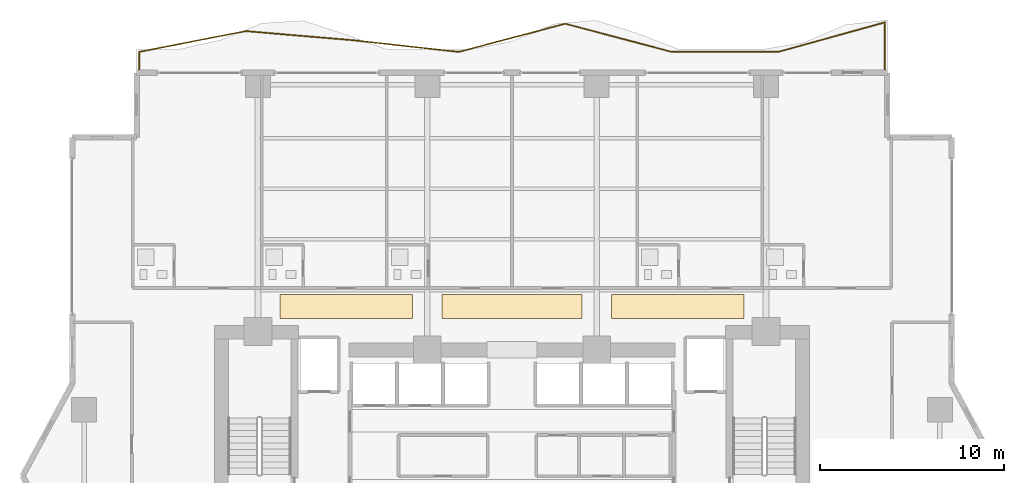
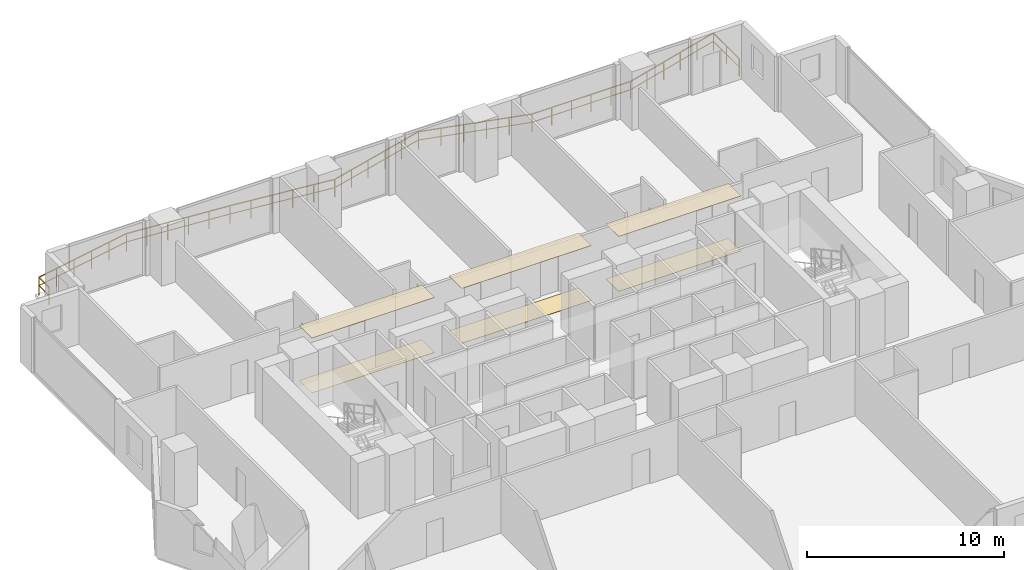
# One storey, part 29 of 30: 6 coverings, 1 railing.
"""IFC4 building model written with IfcOpenShell, lengths in metres."""

import ifcopenshell
import ifcopenshell.guid

model = None  # the IFC model being written
_history = None  # IfcOwnerHistory: only IFC2X3 demands one
_inside = {}  # id of a spatial element -> (the spatial element, [elements in it])
_under = {}  # id of a project, library or spatial element -> (it, [spatial elements below it])
_declared = {}  # id of a project -> (the project, [libraries it declares])
_typed = {}  # id of a type object -> (the type object, [elements of that type])
_made_of = {}  # id of a material, layer set ... -> (it, [elements and type objects made of it])


def new_model(schema):
    """Start an empty IFC model of exactly this schema.

    Asked for "IFC4X3", IfcOpenShell would pick the latest addendum, in which some entities
    have other attributes; the version numbers below select the first issue.
    IFC2X3 requires an IfcOwnerHistory on every rooted entity: one is made here for all.
    """
    global model, _history
    if schema == "IFC4X3":
        model = ifcopenshell.file(schema_version=(4, 3, 0, 0))
    else:
        model = ifcopenshell.file(schema=schema)
    _inside.clear()
    _under.clear()
    _declared.clear()
    _typed.clear()
    _made_of.clear()
    _history = None
    if model.schema == "IFC2X3":
        org = make("IfcOrganization", Name="unknown")
        user = make(
            "IfcPersonAndOrganization",
            ThePerson=make("IfcPerson", FamilyName="unknown"),
            TheOrganization=org,
        )
        app = make(
            "IfcApplication",
            ApplicationDeveloper=org,
            Version="unknown",
            ApplicationFullName="unknown",
            ApplicationIdentifier="unknown",
        )
        _history = make(
            "IfcOwnerHistory",
            OwningUser=user,
            OwningApplication=app,
            ChangeAction="ADDED",
            CreationDate=0,
        )
    return model


def make(cls, **values):
    """One entity of the class cls with the attributes given. An attribute that is None is left unset."""
    return model.create_entity(
        cls, **{name: value for name, value in values.items() if value is not None}
    )


def rooted(cls, **values):
    """An entity with a GlobalId (a new one), such as an element, a storey or a relation."""
    return make(cls, GlobalId=ifcopenshell.guid.new(), OwnerHistory=_history, **values)


def si_unit(unit_type, name, prefix=None):
    """IfcSIUnit, for example si_unit("LENGTHUNIT", "METRE", prefix="MILLI")."""
    return make("IfcSIUnit", UnitType=unit_type, Prefix=prefix, Name=name)


def assignment(units):
    """IfcUnitAssignment: the units of a project."""
    return None if units is None else make("IfcUnitAssignment", Units=units)


def point(xyz):
    """IfcCartesianPoint."""
    return None if xyz is None else make("IfcCartesianPoint", Coordinates=xyz)


def direction(xyz):
    """IfcDirection."""
    return None if xyz is None else make("IfcDirection", DirectionRatios=xyz)


def frame(location, z_axis=None, x_axis=None):
    """IfcAxis2Placement3D, a coordinate frame: its origin and axes. An axis left out is left unset."""
    return make(
        "IfcAxis2Placement3D",
        Location=point(location),
        Axis=direction(z_axis),
        RefDirection=direction(x_axis),
    )


def frame_2d(location, x_axis=None):
    """IfcAxis2Placement2D, a coordinate frame in the plane: its origin and x axis."""
    return make(
        "IfcAxis2Placement2D", Location=point(location), RefDirection=direction(x_axis)
    )


def origin():
    """The frame at (0, 0, 0) with its axes left unset."""
    return frame((0.0, 0.0, 0.0))


def origin_2d():
    """The frame at (0, 0) in the plane with its x axis left unset."""
    return frame_2d((0.0, 0.0))


def place(relative_to, where):
    """IfcLocalPlacement: puts the frame where relative to a parent placement (None: the world)."""
    return make(
        "IfcLocalPlacement", PlacementRelTo=relative_to, RelativePlacement=where
    )


def context(
    kind, dimensions, precision=None, world=None, true_north=None, identifier=None
):
    """IfcGeometricRepresentationContext, for example the 3D "Model" context."""
    return make(
        "IfcGeometricRepresentationContext",
        ContextIdentifier=identifier,
        ContextType=kind,
        CoordinateSpaceDimension=dimensions,
        Precision=precision,
        WorldCoordinateSystem=world,
        TrueNorth=true_north,
    )


def subcontext(parent, identifier, kind, view, scale=None):
    """IfcGeometricRepresentationSubContext, for example "Body" below "Model"."""
    return make(
        "IfcGeometricRepresentationSubContext",
        ContextIdentifier=identifier,
        ContextType=kind,
        ParentContext=parent,
        TargetScale=scale,
        TargetView=view,
    )


def project(units=None, contexts=None):
    """IfcProject with its units and contexts."""
    return rooted(
        "IfcProject",
        Name="project",
        RepresentationContexts=contexts,
        UnitsInContext=assignment(units),
    )


def spatial(cls, under=None, at=None, **own):
    """A site, building, storey or space (cls), placed at a placement, below another one or the project."""
    s = rooted(cls, ObjectPlacement=at, **own)
    if under is not None:
        _under.setdefault(under.id(), (under, []))[1].append(s)
    return s


def polyline(points):
    """IfcPolyline through the points."""
    return make("IfcPolyline", Points=[point(p) for p in points])


def profile(cls, at=None, kind="AREA", **sizes):
    """A parametric profile (cls). Its sizes go by their IFC names, for example OverallWidth=200.0."""
    return make(cls, ProfileType=kind, Position=at, **sizes)


def rectangle(**sizes):
    """IfcRectangleProfileDef."""
    return profile("IfcRectangleProfileDef", **sizes)


def outline(outer, holes=None, kind="AREA"):
    """IfcArbitraryClosedProfileDef: a profile drawn as a closed curve; with holes, ...WithVoids."""
    if holes is None:
        return make("IfcArbitraryClosedProfileDef", ProfileType=kind, OuterCurve=outer)
    return make(
        "IfcArbitraryProfileDefWithVoids",
        ProfileType=kind,
        OuterCurve=outer,
        InnerCurves=holes,
    )


def extrude(swept, where, along, depth):
    """IfcExtrudedAreaSolid: the profile swept, set in the frame where, extruded along a direction by depth."""
    return make(
        "IfcExtrudedAreaSolid",
        SweptArea=swept,
        Position=where,
        ExtrudedDirection=direction(along),
        Depth=depth,
    )


def shape(context_of_items, identifier, shape_type, items):
    """IfcShapeRepresentation: the items that make up one representation, for example the "Body"."""
    return make(
        "IfcShapeRepresentation",
        ContextOfItems=context_of_items,
        RepresentationIdentifier=identifier,
        RepresentationType=shape_type,
        Items=items,
    )


def material(Name=None, Category=None):
    """IfcMaterial."""
    return make("IfcMaterial", Name=Name, Category=Category)


def layer(
    of_material, thickness, ventilated=None, Name=None, Category=None, Priority=None
):
    """IfcMaterialLayer: one layer of a wall or slab, of a material (None: an air gap)."""
    return make(
        "IfcMaterialLayer",
        Material=of_material,
        LayerThickness=thickness,
        IsVentilated=ventilated,
        Name=Name,
        Category=Category,
        Priority=Priority,
    )


def layer_set(layers, Name=None):
    """IfcMaterialLayerSet."""
    return make("IfcMaterialLayerSet", MaterialLayers=layers, LayerSetName=Name)


def made_of(thing, what):
    """Note that an element or type object is made of a material, layer set ...; save() writes the relation."""
    if what is not None:
        _made_of.setdefault(what.id(), (what, []))[1].append(thing)
    return thing


def type_object(cls, material=None, **own):
    """A type object (cls), such as IfcWallType, which elements share."""
    return made_of(rooted(cls, **own), material)


def element(
    cls,
    number,
    at=None,
    inside=None,
    cuts=None,
    type_object=None,
    material=None,
    context=None,
    identifier="Body",
    shape_type=None,
    held_by="IfcProductDefinitionShape",
    body=None,
    shapes=None,
    **own,
):
    """One element of the class cls, such as IfcWall. Its Tag is "e" and its number.

    at: its placement. inside: the storey or other place that contains it. cuts: it is an
    opening in that element (IfcRelVoidsElement). A single representation is given by context,
    identifier, shape_type and body (its items); several are given by shapes. held_by: the class
    of the entity that holds the representations. save() writes the other relations.
    """
    e = rooted(cls, Tag="e%d" % number, ObjectPlacement=at, **own)
    if body is not None:
        shapes = [shape(context, identifier, shape_type, body)]
    if shapes is not None:
        e.Representation = make(held_by, Representations=shapes)
    if inside is not None:
        _inside.setdefault(inside.id(), (inside, []))[1].append(e)
    if cuts is not None:
        rooted(
            "IfcRelVoidsElement", RelatingBuildingElement=cuts, RelatedOpeningElement=e
        )
    if type_object is not None:
        _typed.setdefault(type_object.id(), (type_object, []))[1].append(e)
    return made_of(e, material)


def aggregate(whole, parts):
    """IfcRelAggregates: a whole, such as a stair, and the parts it consists of."""
    return rooted("IfcRelAggregates", RelatingObject=whole, RelatedObjects=parts)


def save(model, path):
    """Write the relations noted so far, then the file.

    IfcRelAggregates (storeys below a building ...), IfcRelContainedInSpatialStructure (elements
    in a storey), IfcRelDefinesByType, IfcRelAssociatesMaterial and IfcRelDeclares: one each for
    every whole, place, type object, material and project.
    """
    for whole, parts in _under.values():
        aggregate(whole, parts)
    for where, things in _inside.values():
        rooted(
            "IfcRelContainedInSpatialStructure",
            RelatedElements=things,
            RelatingStructure=where,
        )
    for kind, things in _typed.values():
        rooted("IfcRelDefinesByType", RelatedObjects=things, RelatingType=kind)
    for what, things in _made_of.values():
        rooted("IfcRelAssociatesMaterial", RelatedObjects=things, RelatingMaterial=what)
    for by, libraries in _declared.values():
        rooted("IfcRelDeclares", RelatingContext=by, RelatedDefinitions=libraries)
    model.write(path)


model = new_model("IFC4")

# Units and contexts
model_context = context("Model", 3, precision=1e-05, world=origin(), true_north=direction((0.0, 1.0)))
body_context = subcontext(model_context, "Body", "Model", "MODEL_VIEW")
ifc_project = project(units=[si_unit("LENGTHUNIT", "METRE"), si_unit("AREAUNIT", "SQUARE_METRE"), si_unit("VOLUMEUNIT", "CUBIC_METRE"), si_unit("PLANEANGLEUNIT", "RADIAN"), si_unit("MASSUNIT", "GRAM", prefix="KILO")], contexts=[model_context])

# Site, building, storey
site_placement = place(None, origin())
site = spatial("IfcSite", under=ifc_project, at=site_placement, CompositionType="ELEMENT")
building_placement = place(site_placement, origin())
building = spatial("IfcBuilding", under=site, at=building_placement, Name="Zuhayl Quay Hotel", CompositionType="ELEMENT")
storey_placement = place(building_placement, frame((0.0, 0.0, 128.5)))
storey = spatial("IfcBuildingStorey", under=building, at=storey_placement, Name="L32", CompositionType="ELEMENT", Elevation=128.5)

# Coverings
ifc_material_1 = material(Name="Acoustic Mineral-Fibre Gypsum Board")
ifc_layer_1 = layer(ifc_material_1, 0.02490234375, Name="Acoustic Mineral-Fibre Gypsum Board")
ifc_layer_set_1 = layer_set([ifc_layer_1], Name="Acoustic Mineral-Fibre Gypsum Board")
covering_type_1 = type_object("IfcCoveringType", Name="CV_CEIL_ACOUSTIC", PredefinedType="CEILING", material=ifc_layer_set_1)
covering_1_placement = place(storey_placement, frame((0.0, 0.0, 3.405029296875)))
element("IfcCovering", 1, at=covering_1_placement, inside=storey, type_object=covering_type_1, Name="L32 Guest Corridor Acoustic Ceiling CW", PredefinedType="CEILING", context=body_context, shape_type="SweptSolid", body=[
    extrude(outline(polyline([(-12.60009765625, 15.050048828125), (-5.39990234375, 15.050048828125), (-5.39990234375, 16.35009765625), (-12.60009765625, 16.35009765625), (-12.60009765625, 15.050048828125)])), origin(), (0.0, 0.0, 1.0), 0.02490234375),
])
covering_2_placement = place(storey_placement, frame((0.0, 0.0, 3.405029296875)))
element("IfcCovering", 2, at=covering_2_placement, inside=storey, type_object=covering_type_1, Name="L32 Guest Corridor Acoustic Ceiling CC", PredefinedType="CEILING", context=body_context, shape_type="SweptSolid", body=[
    extrude(outline(polyline([(-3.800048828125, 15.050048828125), (3.800048828125, 15.050048828125), (3.800048828125, 16.35009765625), (-3.800048828125, 16.35009765625), (-3.800048828125, 15.050048828125)])), origin(), (0.0, 0.0, 1.0), 0.02490234375),
])
covering_3_placement = place(storey_placement, frame((0.0, 0.0, 3.405029296875)))
element("IfcCovering", 3, at=covering_3_placement, inside=storey, type_object=covering_type_1, Name="L32 Guest Corridor Acoustic Ceiling CE", PredefinedType="CEILING", context=body_context, shape_type="SweptSolid", body=[
    extrude(outline(polyline([(5.39990234375, 15.050048828125), (12.60009765625, 15.050048828125), (12.60009765625, 16.35009765625), (5.39990234375, 16.35009765625), (5.39990234375, 15.050048828125)])), origin(), (0.0, 0.0, 1.0), 0.02490234375),
])
ifc_material_2 = material(Name="Polished Limestone Terrazzo", Category="masonry")
ifc_layer_2 = layer(ifc_material_2, 0.02001953125, Name="Polished Limestone Terrazzo", Category="masonry")
ifc_layer_set_2 = layer_set([ifc_layer_2], Name="Polished Limestone Terrazzo")
covering_type_2 = type_object("IfcCoveringType", Name="CV_FLOOR_TERRAZZO", PredefinedType="FLOORING", material=ifc_layer_set_2)
covering_4_placement = place(storey_placement, origin())
element("IfcCovering", 4, at=covering_4_placement, inside=storey, type_object=covering_type_2, Name="L32 Guest Corridor Terrazzo Runner CW", PredefinedType="FLOORING", context=body_context, shape_type="SweptSolid", body=[
    extrude(outline(polyline([(-12.60009765625, 15.050048828125), (-5.39990234375, 15.050048828125), (-5.39990234375, 16.35009765625), (-12.60009765625, 16.35009765625), (-12.60009765625, 15.050048828125)])), origin(), (0.0, 0.0, 1.0), 0.02001953125),
])
covering_5_placement = place(storey_placement, origin())
element("IfcCovering", 5, at=covering_5_placement, inside=storey, type_object=covering_type_2, Name="L32 Guest Corridor Terrazzo Runner CC", PredefinedType="FLOORING", context=body_context, shape_type="SweptSolid", body=[
    extrude(outline(polyline([(-3.800048828125, 15.050048828125), (3.800048828125, 15.050048828125), (3.800048828125, 16.35009765625), (-3.800048828125, 16.35009765625), (-3.800048828125, 15.050048828125)])), origin(), (0.0, 0.0, 1.0), 0.02001953125),
])
covering_6_placement = place(storey_placement, origin())
element("IfcCovering", 6, at=covering_6_placement, inside=storey, type_object=covering_type_2, Name="L32 Guest Corridor Terrazzo Runner CE", PredefinedType="FLOORING", context=body_context, shape_type="SweptSolid", body=[
    extrude(outline(polyline([(5.39990234375, 15.050048828125), (12.60009765625, 15.050048828125), (12.60009765625, 16.35009765625), (5.39990234375, 16.35009765625), (5.39990234375, 15.050048828125)])), origin(), (0.0, 0.0, 1.0), 0.02001953125),
])

# Railing
ifc_material_3 = material(Name="Anodised Aluminium and Laminated Glass", Category="aluminium")
railing_type = type_object("IfcRailingType", Name="RL_EXT_BAL_1100", PredefinedType="BALUSTRADE", material=ifc_material_3)
railing_placement = place(storey_placement, frame((-20.260009765625, 28.52001953125, 0.0)))
element("IfcRailing", 7, at=railing_placement, inside=storey, type_object=railing_type, Name="L32 Balcony and Terrace Guard GR_L32_BAL_N", PredefinedType="BALUSTRADE", context=body_context, shape_type="SweptSolid", body=[
    extrude(rectangle(XDim=0.048095703125, YDim=0.048095703125, at=origin_2d()), frame((0.0, 0.0, 1.09619140625), z_axis=(0.0, 1.0, 0.0), x_axis=(-1.0, 0.0, 0.0)), (0.0, 0.0, 1.0), 1.02001953125),
    extrude(rectangle(XDim=0.0361328125, YDim=0.0361328125, at=origin_2d()), frame((0.0, 0.0, 0.58251953125), z_axis=(0.0, 1.0, 0.0), x_axis=(-1.0, 0.0, 0.0)), (0.0, 0.0, 1.0), 1.02001953125),
    extrude(rectangle(XDim=0.048095703125, YDim=0.048095703125, at=origin_2d()), frame((0.0, 1.02001953125, 1.09619140625), z_axis=(0.981501028548, 0.191456864489, 0.0), x_axis=(-0.191456864489, 0.981501028548, 0.0)), (0.0, 0.0, 1.0), 5.897705078125),
    extrude(rectangle(XDim=0.0361328125, YDim=0.0361328125, at=origin_2d()), frame((0.0, 1.02001953125, 0.58251953125), z_axis=(0.981501028548, 0.191456864489, 0.0), x_axis=(-0.191456864489, 0.981501028548, 0.0)), (0.0, 0.0, 1.0), 5.897705078125),
    extrude(rectangle(XDim=0.048095703125, YDim=0.048095703125, at=origin_2d()), frame((5.78857421875, 2.149169921875, 1.09619140625), z_axis=(0.996415287591, -0.084596540444, 0.0), x_axis=(0.084596540444, 0.996415287591, 0.0)), (0.0, 0.0, 1.0), 5.809326171875),
    extrude(rectangle(XDim=0.0361328125, YDim=0.0361328125, at=origin_2d()), frame((5.78857421875, 2.149169921875, 0.58251953125), z_axis=(0.996415287591, -0.084596540444, 0.0), x_axis=(0.084596540444, 0.996415287591, 0.0)), (0.0, 0.0, 1.0), 5.809326171875),
    extrude(rectangle(XDim=0.048095703125, YDim=0.048095703125, at=origin_2d()), frame((11.5771484375, 1.65771484375, 1.09619140625), z_axis=(0.993986572997, -0.109502021454, 0.0), x_axis=(0.109502021454, 0.993986572997, 0.0)), (0.0, 0.0, 1.0), 5.823486328125),
    extrude(rectangle(XDim=0.0361328125, YDim=0.0361328125, at=origin_2d()), frame((11.5771484375, 1.65771484375, 0.58251953125), z_axis=(0.993986572997, -0.109502021454, 0.0), x_axis=(0.109502021454, 0.993986572997, 0.0)), (0.0, 0.0, 1.0), 5.823486328125),
    extrude(rectangle(XDim=0.048095703125, YDim=0.048095703125, at=origin_2d()), frame((17.36572265625, 1.02001953125, 1.09619140625), z_axis=(0.96679772635, 0.255542865923, 0.0), x_axis=(-0.255542865923, 0.96679772635, 0.0)), (0.0, 0.0, 1.0), 5.9873046875),
    extrude(rectangle(XDim=0.0361328125, YDim=0.0361328125, at=origin_2d()), frame((17.36572265625, 1.02001953125, 0.58251953125), z_axis=(0.96679772635, 0.255542865923, 0.0), x_axis=(-0.255542865923, 0.96679772635, 0.0)), (0.0, 0.0, 1.0), 5.9873046875),
    extrude(rectangle(XDim=0.048095703125, YDim=0.048095703125, at=origin_2d()), frame((23.154296875, 2.550048828125, 1.09619140625), z_axis=(0.96679772635, -0.255542865923, 0.0), x_axis=(0.255542865923, 0.96679772635, 0.0)), (0.0, 0.0, 1.0), 5.9873046875),
    extrude(rectangle(XDim=0.0361328125, YDim=0.0361328125, at=origin_2d()), frame((23.154296875, 2.550048828125, 0.58251953125), z_axis=(0.96679772635, -0.255542865923, 0.0), x_axis=(0.255542865923, 0.96679772635, 0.0)), (0.0, 0.0, 1.0), 5.9873046875),
    extrude(rectangle(XDim=0.048095703125, YDim=0.048095703125, at=origin_2d()), frame((28.94287109375, 1.02001953125, 1.09619140625), z_axis=(1.0, 0.0, 0.0), x_axis=(0.0, 1.0, 0.0)), (0.0, 0.0, 1.0), 5.78857421875),
    extrude(rectangle(XDim=0.0361328125, YDim=0.0361328125, at=origin_2d()), frame((28.94287109375, 1.02001953125, 0.58251953125), z_axis=(1.0, 0.0, 0.0), x_axis=(0.0, 1.0, 0.0)), (0.0, 0.0, 1.0), 5.78857421875),
    extrude(rectangle(XDim=0.048095703125, YDim=0.048095703125, at=origin_2d()), frame((34.7314453125, 1.02001953125, 1.09619140625), z_axis=(0.963644737751, 0.267186862336, 0.0), x_axis=(-0.267186862336, 0.963644737751, 0.0)), (0.0, 0.0, 1.0), 6.007080078125),
    extrude(rectangle(XDim=0.0361328125, YDim=0.0361328125, at=origin_2d()), frame((34.7314453125, 1.02001953125, 0.58251953125), z_axis=(0.963644737751, 0.267186862336, 0.0), x_axis=(-0.267186862336, 0.963644737751, 0.0)), (0.0, 0.0, 1.0), 6.007080078125),
    extrude(rectangle(XDim=0.048095703125, YDim=0.048095703125, at=origin_2d()), frame((40.52001953125, 2.625, 1.09619140625), z_axis=(0.0, -1.0, 0.0), x_axis=(1.0, 0.0, 0.0)), (0.0, 0.0, 1.0), 2.625),
    extrude(rectangle(XDim=0.0361328125, YDim=0.0361328125, at=origin_2d()), frame((40.52001953125, 2.625, 0.58251953125), z_axis=(0.0, -1.0, 0.0), x_axis=(1.0, 0.0, 0.0)), (0.0, 0.0, 1.0), 2.625),
    extrude(rectangle(XDim=0.0419921875, YDim=0.0419921875, at=origin_2d()), origin(), (0.0, 0.0, 1.0), 1.072021484375),
    extrude(rectangle(XDim=0.0419921875, YDim=0.0419921875, at=origin_2d()), frame((0.0, 1.02001953125, 0.0)), (0.0, 0.0, 1.0), 1.072021484375),
    extrude(rectangle(XDim=0.0419921875, YDim=0.0419921875, at=origin_2d()), frame((1.15771484375, 1.245849609375, 0.0)), (0.0, 0.0, 1.0), 1.072021484375),
    extrude(rectangle(XDim=0.0419921875, YDim=0.0419921875, at=origin_2d()), frame((2.3154296875, 1.4716796875, 0.0)), (0.0, 0.0, 1.0), 1.072021484375),
    extrude(rectangle(XDim=0.0419921875, YDim=0.0419921875, at=origin_2d()), frame((3.47314453125, 1.697509765625, 0.0)), (0.0, 0.0, 1.0), 1.072021484375),
    extrude(rectangle(XDim=0.0419921875, YDim=0.0419921875, at=origin_2d()), frame((4.630859375, 1.92333984375, 0.0)), (0.0, 0.0, 1.0), 1.072021484375),
    extrude(rectangle(XDim=0.0419921875, YDim=0.0419921875, at=origin_2d()), frame((5.78857421875, 2.149169921875, 0.0)), (0.0, 0.0, 1.0), 1.072021484375),
    extrude(rectangle(XDim=0.0419921875, YDim=0.0419921875, at=origin_2d()), frame((6.9462890625, 2.05078125, 0.0)), (0.0, 0.0, 1.0), 1.072021484375),
    extrude(rectangle(XDim=0.0419921875, YDim=0.0419921875, at=origin_2d()), frame((8.10400390625, 1.95263671875, 0.0)), (0.0, 0.0, 1.0), 1.072021484375),
    extrude(rectangle(XDim=0.0419921875, YDim=0.0419921875, at=origin_2d()), frame((9.26171875, 1.854248046875, 0.0)), (0.0, 0.0, 1.0), 1.072021484375),
    extrude(rectangle(XDim=0.0419921875, YDim=0.0419921875, at=origin_2d()), frame((10.41943359375, 1.756103515625, 0.0)), (0.0, 0.0, 1.0), 1.072021484375),
    extrude(rectangle(XDim=0.0419921875, YDim=0.0419921875, at=origin_2d()), frame((11.5771484375, 1.65771484375, 0.0)), (0.0, 0.0, 1.0), 1.072021484375),
    extrude(rectangle(XDim=0.0419921875, YDim=0.0419921875, at=origin_2d()), frame((12.73486328125, 1.5302734375, 0.0)), (0.0, 0.0, 1.0), 1.072021484375),
    extrude(rectangle(XDim=0.0419921875, YDim=0.0419921875, at=origin_2d()), frame((13.892578125, 1.402587890625, 0.0)), (0.0, 0.0, 1.0), 1.072021484375),
    extrude(rectangle(XDim=0.0419921875, YDim=0.0419921875, at=origin_2d()), frame((15.05029296875, 1.275146484375, 0.0)), (0.0, 0.0, 1.0), 1.072021484375),
    extrude(rectangle(XDim=0.0419921875, YDim=0.0419921875, at=origin_2d()), frame((16.2080078125, 1.1474609375, 0.0)), (0.0, 0.0, 1.0), 1.072021484375),
    extrude(rectangle(XDim=0.0419921875, YDim=0.0419921875, at=origin_2d()), frame((17.36572265625, 1.02001953125, 0.0)), (0.0, 0.0, 1.0), 1.072021484375),
    extrude(rectangle(XDim=0.0419921875, YDim=0.0419921875, at=origin_2d()), frame((18.5234375, 1.325927734375, 0.0)), (0.0, 0.0, 1.0), 1.072021484375),
    extrude(rectangle(XDim=0.0419921875, YDim=0.0419921875, at=origin_2d()), frame((19.68115234375, 1.632080078125, 0.0)), (0.0, 0.0, 1.0), 1.072021484375),
    extrude(rectangle(XDim=0.0419921875, YDim=0.0419921875, at=origin_2d()), frame((20.8388671875, 1.93798828125, 0.0)), (0.0, 0.0, 1.0), 1.072021484375),
    extrude(rectangle(XDim=0.0419921875, YDim=0.0419921875, at=origin_2d()), frame((21.99658203125, 2.244140625, 0.0)), (0.0, 0.0, 1.0), 1.072021484375),
    extrude(rectangle(XDim=0.0419921875, YDim=0.0419921875, at=origin_2d()), frame((23.154296875, 2.550048828125, 0.0)), (0.0, 0.0, 1.0), 1.072021484375),
    extrude(rectangle(XDim=0.0419921875, YDim=0.0419921875, at=origin_2d()), frame((24.31201171875, 2.244140625, 0.0)), (0.0, 0.0, 1.0), 1.072021484375),
    extrude(rectangle(XDim=0.0419921875, YDim=0.0419921875, at=origin_2d()), frame((25.4697265625, 1.93798828125, 0.0)), (0.0, 0.0, 1.0), 1.072021484375),
    extrude(rectangle(XDim=0.0419921875, YDim=0.0419921875, at=origin_2d()), frame((26.62744140625, 1.632080078125, 0.0)), (0.0, 0.0, 1.0), 1.072021484375),
    extrude(rectangle(XDim=0.0419921875, YDim=0.0419921875, at=origin_2d()), frame((27.78515625, 1.325927734375, 0.0)), (0.0, 0.0, 1.0), 1.072021484375),
    extrude(rectangle(XDim=0.0419921875, YDim=0.0419921875, at=origin_2d()), frame((28.94287109375, 1.02001953125, 0.0)), (0.0, 0.0, 1.0), 1.072021484375),
    extrude(rectangle(XDim=0.0419921875, YDim=0.0419921875, at=origin_2d()), frame((30.1005859375, 1.02001953125, 0.0)), (0.0, 0.0, 1.0), 1.072021484375),
    extrude(rectangle(XDim=0.0419921875, YDim=0.0419921875, at=origin_2d()), frame((31.25830078125, 1.02001953125, 0.0)), (0.0, 0.0, 1.0), 1.072021484375),
    extrude(rectangle(XDim=0.0419921875, YDim=0.0419921875, at=origin_2d()), frame((32.416015625, 1.02001953125, 0.0)), (0.0, 0.0, 1.0), 1.072021484375),
    extrude(rectangle(XDim=0.0419921875, YDim=0.0419921875, at=origin_2d()), frame((33.57373046875, 1.02001953125, 0.0)), (0.0, 0.0, 1.0), 1.072021484375),
    extrude(rectangle(XDim=0.0419921875, YDim=0.0419921875, at=origin_2d()), frame((34.7314453125, 1.02001953125, 0.0)), (0.0, 0.0, 1.0), 1.072021484375),
    extrude(rectangle(XDim=0.0419921875, YDim=0.0419921875, at=origin_2d()), frame((35.88916015625, 1.341064453125, 0.0)), (0.0, 0.0, 1.0), 1.072021484375),
    extrude(rectangle(XDim=0.0419921875, YDim=0.0419921875, at=origin_2d()), frame((37.046875, 1.662109375, 0.0)), (0.0, 0.0, 1.0), 1.072021484375),
    extrude(rectangle(XDim=0.0419921875, YDim=0.0419921875, at=origin_2d()), frame((38.20458984375, 1.98291015625, 0.0)), (0.0, 0.0, 1.0), 1.072021484375),
    extrude(rectangle(XDim=0.0419921875, YDim=0.0419921875, at=origin_2d()), frame((39.3623046875, 2.303955078125, 0.0)), (0.0, 0.0, 1.0), 1.072021484375),
    extrude(rectangle(XDim=0.0419921875, YDim=0.0419921875, at=origin_2d()), frame((40.52001953125, 2.625, 0.0)), (0.0, 0.0, 1.0), 1.072021484375),
    extrude(rectangle(XDim=0.0419921875, YDim=0.0419921875, at=origin_2d()), frame((40.52001953125, 1.3125, 0.0)), (0.0, 0.0, 1.0), 1.072021484375),
    extrude(rectangle(XDim=0.0419921875, YDim=0.0419921875, at=origin_2d()), frame((40.52001953125, 0.0, 0.0)), (0.0, 0.0, 1.0), 1.072021484375),
])

save(model, "model.ifc")
